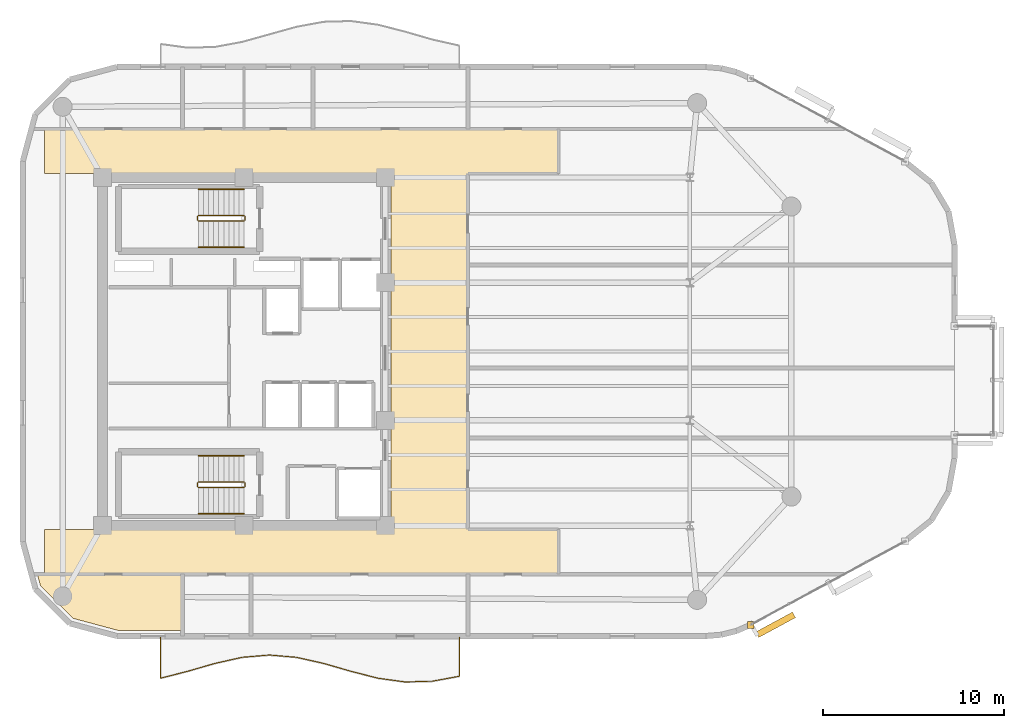
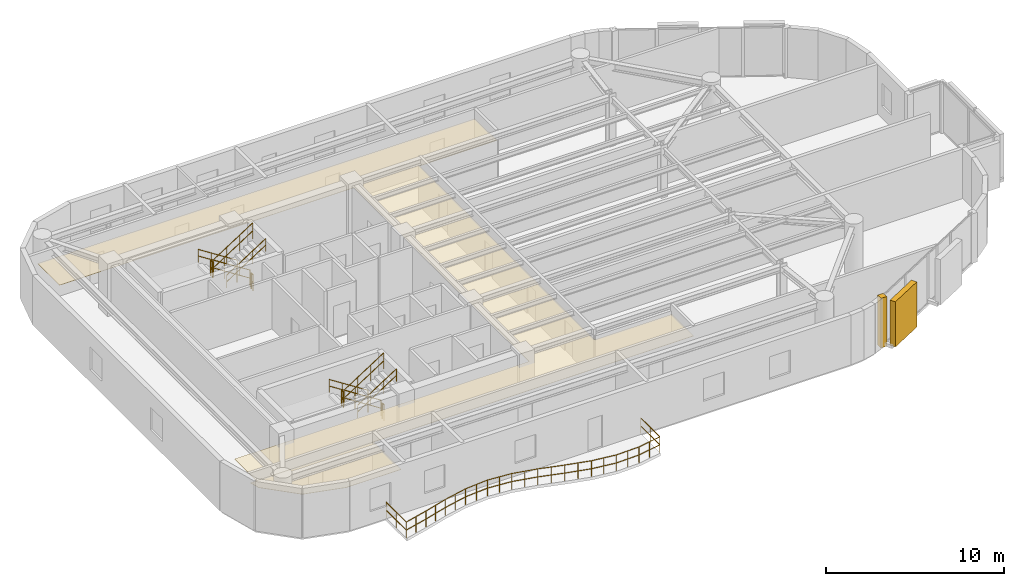
# One storey, part 13 of 14: 13 railings, 3 coverings, 1 shading device.
"""IFC4 building model written with IfcOpenShell, lengths in metres."""

from ifc_helpers import new_model, si_unit, direction, frame, origin, origin_2d, place, context, subcontext, project, spatial, polyline, rectangle, circle, outline, extrude, material, layer, layer_set, type_object, element, save


model = new_model("IFC4")

# Units and contexts
model_context = context("Model", 3, precision=1e-05, world=origin(), true_north=direction((0.0, 1.0)))
body_context = subcontext(model_context, "Body", "Model", "MODEL_VIEW")
ifc_project = project(units=[si_unit("LENGTHUNIT", "METRE"), si_unit("AREAUNIT", "SQUARE_METRE"), si_unit("VOLUMEUNIT", "CUBIC_METRE"), si_unit("PLANEANGLEUNIT", "RADIAN"), si_unit("MASSUNIT", "GRAM", prefix="KILO")], contexts=[model_context])

# Site, building, storey
site_placement = place(None, origin())
site = spatial("IfcSite", under=ifc_project, at=site_placement, CompositionType="ELEMENT")
building_placement = place(site_placement, origin())
building = spatial("IfcBuilding", under=site, at=building_placement, Name="An Khanh Terracotta Commons", CompositionType="ELEMENT")
storey_placement = place(building_placement, frame((0.0, 0.0, 219.300048828125)))
storey = spatial("IfcBuildingStorey", under=building, at=storey_placement, Name="L57", CompositionType="ELEMENT", Elevation=219.300048828125)

# Coverings
ifc_material_1 = material(Name="Perforated Mineral-Fibre Acoustic Tile")
ifc_layer_1 = layer(ifc_material_1, 0.02001953125, Name="Perforated Mineral-Fibre Acoustic Tile")
ifc_layer_set_1 = layer_set([ifc_layer_1], Name="Perforated Mineral-Fibre Acoustic Tile")
covering_type_1 = type_object("IfcCoveringType", Name="CEIL-ACOUSTIC-18", PredefinedType="CEILING", material=ifc_layer_set_1)
covering_1_placement = place(storey_placement, frame((0.0, 0.0, 2.64990234375)))
element("IfcCovering", 1, at=covering_1_placement, inside=storey, type_object=covering_type_1, Name="L57 Corridor Ceiling", PredefinedType="CEILING", context=body_context, shape_type="SweptSolid", body=[
    extrude(outline(polyline([(37.5, 14.179931640625), (37.5, 33.820068359375), (18.39990234375, 33.820068359375), (18.39990234375, 36.280029296875), (37.5, 36.280029296875), (41.75, 36.280029296875), (46.75, 36.280029296875), (46.75, 33.820068359375), (41.75, 33.820068359375), (41.75, 14.179931640625), (46.75, 14.179931640625), (46.75, 11.719970703125), (41.75, 11.719970703125), (37.5, 11.719970703125), (18.39990234375, 11.719970703125), (18.39990234375, 14.179931640625), (37.5, 14.179931640625)])), origin(), (0.0, 0.0, 1.0), 0.02001953125),
])
covering_2_placement = place(storey_placement, frame((0.0, 0.0, 2.64990234375)))
element("IfcCovering", 2, at=covering_2_placement, inside=storey, type_object=covering_type_1, Name="L57 Student Reading Library Ceiling", PredefinedType="CEILING", context=body_context, shape_type="SweptSolid", body=[
    extrude(outline(polyline([(22.44189453125, 8.6201171875), (19.966064453125, 9.283935546875), (18.18408203125, 11.06591796875), (18.008056640625, 11.719970703125), (18.39990234375, 11.719970703125), (26.0, 11.719970703125), (26.0, 8.64990234375), (26.0, 8.6201171875), (22.44189453125, 8.6201171875)])), origin(), (0.0, 0.0, 1.0), 0.02001953125),
])
ifc_material_2 = material(Name="Fired Terracotta Rainscreen Cladding", Category="masonry")
ifc_layer_2 = layer(ifc_material_2, 0.080078125, Name="Fired Terracotta Rainscreen Cladding")
ifc_layer_set_2 = layer_set([ifc_layer_2], Name="Fired Terracotta Rainscreen Cladding")
covering_type_2 = type_object("IfcCoveringType", Name="COV-JAMB-TERRA", PredefinedType="CLADDING", material=ifc_layer_set_2)
covering_3_placement = place(storey_placement, frame((57.35693359375, 8.925048828125, 0.0), z_axis=(0.0, 0.0, 1.0), x_axis=(1.0, 0.0, 0.0)))
element("IfcCovering", 3, at=covering_3_placement, inside=storey, type_object=covering_type_2, Name="L57 CW-03 Curtain-Wall Jamb Closure JA", PredefinedType="CLADDING", context=body_context, shape_type="SweptSolid", body=[
    extrude(rectangle(XDim=0.3798828125, YDim=0.3798828125, at=origin_2d()), origin(), (0.0, 0.0, 1.0), 3.39990234375),
])

# Railings
ifc_material_3 = material(Name="Brushed Stainless Steel 316", Category="steel")
railing_type_1 = type_object("IfcRailingType", Name="RAIL-BALUSTRADE-1100", PredefinedType="BALUSTRADE", material=ifc_material_3)
railing_1_placement = place(storey_placement, frame((24.800048828125, 8.239990234375, 0.0)))
element("IfcRailing", 4, at=railing_1_placement, inside=storey, type_object=railing_type_1, Name="L57 S Wave Balcony Guard Balustrade", PredefinedType="BALUSTRADE", context=body_context, shape_type="SweptSolid", body=[
    extrude(circle(Radius=0.02392578125, at=origin_2d()), frame((0.0, 0.0, 1.076171875), z_axis=(0.0, -1.0, 0.0), x_axis=(1.0, 0.0, 0.0)), (0.0, 0.0, 1.0), 2.260009765625),
    extrude(circle(Radius=0.02392578125, at=origin_2d()), frame((0.0, 0.0, 0.52587890625), z_axis=(0.0, -1.0, 0.0), x_axis=(1.0, 0.0, 0.0)), (0.0, 0.0, 1.0), 2.260009765625),
    extrude(circle(Radius=0.02392578125, at=origin_2d()), frame((0.0, -2.260009765625, 1.076171875), z_axis=(0.968754262999, 0.248022535107, 0.0), x_axis=(-0.248022535107, 0.968754262999, 0.0)), (0.0, 0.0, 1.0), 1.54833984375),
    extrude(circle(Radius=0.02392578125, at=origin_2d()), frame((0.0, -2.260009765625, 0.52587890625), z_axis=(0.968754262999, 0.248022535107, 0.0), x_axis=(-0.248022535107, 0.968754262999, 0.0)), (0.0, 0.0, 1.0), 1.54833984375),
    extrude(circle(Radius=0.02392578125, at=origin_2d()), frame((1.5, -1.8759765625, 1.076171875), z_axis=(0.960753088359, 0.277404944458, 0.0), x_axis=(-0.277404944458, 0.960753088359, 0.0)), (0.0, 0.0, 1.0), 1.561279296875),
    extrude(circle(Radius=0.02392578125, at=origin_2d()), frame((1.5, -1.8759765625, 0.52587890625), z_axis=(0.960753088359, 0.277404944458, 0.0), x_axis=(-0.277404944458, 0.960753088359, 0.0)), (0.0, 0.0, 1.0), 1.561279296875),
    extrude(circle(Radius=0.02392578125, at=origin_2d()), frame((3.0, -1.44287109375, 1.076171875), z_axis=(0.975691310659, 0.21914941548, 0.0), x_axis=(-0.21914941548, 0.975691310659, 0.0)), (0.0, 0.0, 1.0), 1.537353515625),
    extrude(circle(Radius=0.02392578125, at=origin_2d()), frame((3.0, -1.44287109375, 0.52587890625), z_axis=(0.975691310659, 0.21914941548, 0.0), x_axis=(-0.21914941548, 0.975691310659, 0.0)), (0.0, 0.0, 1.0), 1.537353515625),
    extrude(circle(Radius=0.02392578125, at=origin_2d()), frame((4.5, -1.10595703125, 1.076171875), z_axis=(0.996491859681, 0.083689746028, 0.0), x_axis=(-0.083689746028, 0.996491859681, 0.0)), (0.0, 0.0, 1.0), 1.50537109375),
    extrude(circle(Radius=0.02392578125, at=origin_2d()), frame((4.5, -1.10595703125, 0.52587890625), z_axis=(0.996491859681, 0.083689746028, 0.0), x_axis=(-0.083689746028, 0.996491859681, 0.0)), (0.0, 0.0, 1.0), 1.50537109375),
    extrude(circle(Radius=0.02392578125, at=origin_2d()), frame((6.0, -0.97998046875, 1.076171875), z_axis=(0.996491859681, -0.083689746028, 0.0), x_axis=(0.083689746028, 0.996491859681, 0.0)), (0.0, 0.0, 1.0), 1.50537109375),
    extrude(circle(Radius=0.02392578125, at=origin_2d()), frame((6.0, -0.97998046875, 0.52587890625), z_axis=(0.996491859681, -0.083689746028, 0.0), x_axis=(0.083689746028, 0.996491859681, 0.0)), (0.0, 0.0, 1.0), 1.50537109375),
    extrude(circle(Radius=0.02392578125, at=origin_2d()), frame((7.5, -1.10595703125, 1.076171875), z_axis=(0.975691310659, -0.21914941548, 0.0), x_axis=(0.21914941548, 0.975691310659, 0.0)), (0.0, 0.0, 1.0), 1.537353515625),
    extrude(circle(Radius=0.02392578125, at=origin_2d()), frame((7.5, -1.10595703125, 0.52587890625), z_axis=(0.975691310659, -0.21914941548, 0.0), x_axis=(0.21914941548, 0.975691310659, 0.0)), (0.0, 0.0, 1.0), 1.537353515625),
    extrude(circle(Radius=0.02392578125, at=origin_2d()), frame((9.0, -1.44287109375, 1.076171875), z_axis=(0.960753088359, -0.277404944458, 0.0), x_axis=(0.277404944458, 0.960753088359, 0.0)), (0.0, 0.0, 1.0), 1.561279296875),
    extrude(circle(Radius=0.02392578125, at=origin_2d()), frame((9.0, -1.44287109375, 0.52587890625), z_axis=(0.960753088359, -0.277404944458, 0.0), x_axis=(0.277404944458, 0.960753088359, 0.0)), (0.0, 0.0, 1.0), 1.561279296875),
    extrude(circle(Radius=0.02392578125, at=origin_2d()), frame((10.5, -1.8759765625, 1.076171875), z_axis=(0.968754262999, -0.248022535107, 0.0), x_axis=(0.248022535107, 0.968754262999, 0.0)), (0.0, 0.0, 1.0), 1.54833984375),
    extrude(circle(Radius=0.02392578125, at=origin_2d()), frame((10.5, -1.8759765625, 0.52587890625), z_axis=(0.968754262999, -0.248022535107, 0.0), x_axis=(0.248022535107, 0.968754262999, 0.0)), (0.0, 0.0, 1.0), 1.54833984375),
    extrude(circle(Radius=0.02392578125, at=origin_2d()), frame((12.0, -2.260009765625, 1.076171875), z_axis=(0.990696239711, -0.136091736054, 0.0), x_axis=(0.136091736054, 0.990696239711, 0.0)), (0.0, 0.0, 1.0), 1.51416015625),
    extrude(circle(Radius=0.02392578125, at=origin_2d()), frame((12.0, -2.260009765625, 0.52587890625), z_axis=(0.990696239711, -0.136091736054, 0.0), x_axis=(0.136091736054, 0.990696239711, 0.0)), (0.0, 0.0, 1.0), 1.51416015625),
    extrude(circle(Radius=0.02392578125, at=origin_2d()), frame((13.5, -2.466064453125, 1.076171875), z_axis=(0.999589960453, 0.028634087409, 0.0), x_axis=(-0.028634087409, 0.999589960453, 0.0)), (0.0, 0.0, 1.0), 1.500732421875),
    extrude(circle(Radius=0.02392578125, at=origin_2d()), frame((13.5, -2.466064453125, 0.52587890625), z_axis=(0.999589960453, 0.028634087409, 0.0), x_axis=(-0.028634087409, 0.999589960453, 0.0)), (0.0, 0.0, 1.0), 1.500732421875),
    extrude(circle(Radius=0.02392578125, at=origin_2d()), frame((15.0, -2.423095703125, 1.076171875), z_axis=(0.983475695992, 0.181040203803, 0.0), x_axis=(-0.181040203803, 0.983475695992, 0.0)), (0.0, 0.0, 1.0), 1.525146484375),
    extrude(circle(Radius=0.02392578125, at=origin_2d()), frame((15.0, -2.423095703125, 0.52587890625), z_axis=(0.983475695992, 0.181040203803, 0.0), x_axis=(-0.181040203803, 0.983475695992, 0.0)), (0.0, 0.0, 1.0), 1.525146484375),
    extrude(circle(Radius=0.02392578125, at=origin_2d()), frame((16.5, -2.14697265625, 1.076171875), z_axis=(0.0, 1.0, 0.0), x_axis=(-1.0, 0.0, 0.0)), (0.0, 0.0, 1.0), 2.14697265625),
    extrude(circle(Radius=0.02392578125, at=origin_2d()), frame((16.5, -2.14697265625, 0.52587890625), z_axis=(0.0, 1.0, 0.0), x_axis=(-1.0, 0.0, 0.0)), (0.0, 0.0, 1.0), 2.14697265625),
    extrude(circle(Radius=0.02099609375, at=origin_2d()), origin(), (0.0, 0.0, 1.0), 1.052001953125),
    extrude(circle(Radius=0.02099609375, at=origin_2d()), frame((0.0, -1.1298828125, 0.0)), (0.0, 0.0, 1.0), 1.052001953125),
    extrude(circle(Radius=0.02099609375, at=origin_2d()), frame((0.0, -2.260009765625, 0.0)), (0.0, 0.0, 1.0), 1.052001953125),
    extrude(circle(Radius=0.02099609375, at=origin_2d()), frame((0.75, -2.06787109375, 0.0)), (0.0, 0.0, 1.0), 1.052001953125),
    extrude(circle(Radius=0.02099609375, at=origin_2d()), frame((1.5, -1.8759765625, 0.0)), (0.0, 0.0, 1.0), 1.052001953125),
    extrude(circle(Radius=0.02099609375, at=origin_2d()), frame((2.25, -1.659423828125, 0.0)), (0.0, 0.0, 1.0), 1.052001953125),
    extrude(circle(Radius=0.02099609375, at=origin_2d()), frame((3.0, -1.44287109375, 0.0)), (0.0, 0.0, 1.0), 1.052001953125),
    extrude(circle(Radius=0.02099609375, at=origin_2d()), frame((3.75, -1.2744140625, 0.0)), (0.0, 0.0, 1.0), 1.052001953125),
    extrude(circle(Radius=0.02099609375, at=origin_2d()), frame((4.5, -1.10595703125, 0.0)), (0.0, 0.0, 1.0), 1.052001953125),
    extrude(circle(Radius=0.02099609375, at=origin_2d()), frame((5.25, -1.04296875, 0.0)), (0.0, 0.0, 1.0), 1.052001953125),
    extrude(circle(Radius=0.02099609375, at=origin_2d()), frame((6.0, -0.97998046875, 0.0)), (0.0, 0.0, 1.0), 1.052001953125),
    extrude(circle(Radius=0.02099609375, at=origin_2d()), frame((6.75, -1.04296875, 0.0)), (0.0, 0.0, 1.0), 1.052001953125),
    extrude(circle(Radius=0.02099609375, at=origin_2d()), frame((7.5, -1.10595703125, 0.0)), (0.0, 0.0, 1.0), 1.052001953125),
    extrude(circle(Radius=0.02099609375, at=origin_2d()), frame((8.25, -1.2744140625, 0.0)), (0.0, 0.0, 1.0), 1.052001953125),
    extrude(circle(Radius=0.02099609375, at=origin_2d()), frame((9.0, -1.44287109375, 0.0)), (0.0, 0.0, 1.0), 1.052001953125),
    extrude(circle(Radius=0.02099609375, at=origin_2d()), frame((9.75, -1.659423828125, 0.0)), (0.0, 0.0, 1.0), 1.052001953125),
    extrude(circle(Radius=0.02099609375, at=origin_2d()), frame((10.5, -1.8759765625, 0.0)), (0.0, 0.0, 1.0), 1.052001953125),
    extrude(circle(Radius=0.02099609375, at=origin_2d()), frame((11.25, -2.06787109375, 0.0)), (0.0, 0.0, 1.0), 1.052001953125),
    extrude(circle(Radius=0.02099609375, at=origin_2d()), frame((12.0, -2.260009765625, 0.0)), (0.0, 0.0, 1.0), 1.052001953125),
    extrude(circle(Radius=0.02099609375, at=origin_2d()), frame((12.75, -2.363037109375, 0.0)), (0.0, 0.0, 1.0), 1.052001953125),
    extrude(circle(Radius=0.02099609375, at=origin_2d()), frame((13.5, -2.466064453125, 0.0)), (0.0, 0.0, 1.0), 1.052001953125),
    extrude(circle(Radius=0.02099609375, at=origin_2d()), frame((14.25, -2.444580078125, 0.0)), (0.0, 0.0, 1.0), 1.052001953125),
    extrude(circle(Radius=0.02099609375, at=origin_2d()), frame((15.0, -2.423095703125, 0.0)), (0.0, 0.0, 1.0), 1.052001953125),
    extrude(circle(Radius=0.02099609375, at=origin_2d()), frame((15.75, -2.28515625, 0.0)), (0.0, 0.0, 1.0), 1.052001953125),
    extrude(circle(Radius=0.02099609375, at=origin_2d()), frame((16.5, -2.14697265625, 0.0)), (0.0, 0.0, 1.0), 1.052001953125),
    extrude(circle(Radius=0.02099609375, at=origin_2d()), frame((16.5, -1.073486328125, 0.0)), (0.0, 0.0, 1.0), 1.052001953125),
    extrude(circle(Radius=0.02099609375, at=origin_2d()), frame((16.5, 0.0, 0.0)), (0.0, 0.0, 1.0), 1.052001953125),
])
railing_type_2 = type_object("IfcRailingType", Name="RAIL-HANDRAIL-900", PredefinedType="HANDRAIL", material=ifc_material_3)
railing_2_placement = place(storey_placement, frame((29.409912109375, 32.949951171875, 0.179931640625)))
element("IfcRailing", 5, at=railing_2_placement, inside=storey, type_object=railing_type_2, Name="L57 ST-01 stair handrail 1", PredefinedType="HANDRAIL", context=body_context, shape_type="SweptSolid", body=[
    extrude(circle(Radius=0.02392578125, at=origin_2d()), frame((0.0, 0.0, 0.8759765625), z_axis=(-0.841162588446, 0.0, 0.540782303519), x_axis=(0.0, -1.0, 0.0)), (0.0, 0.0, 1.0), 2.995849609375),
    extrude(circle(Radius=0.02392578125, at=origin_2d()), frame((0.0, 0.0, 0.42578125), z_axis=(-0.841162588446, 0.0, 0.540782303519), x_axis=(0.0, -1.0, 0.0)), (0.0, 0.0, 1.0), 2.995849609375),
    extrude(circle(Radius=0.02099609375, at=origin_2d()), origin(), (0.0, 0.0, 1.0), 0.851806640625),
    extrude(circle(Radius=0.02099609375, at=origin_2d()), frame((-0.840087890625, 0.0, 0.5400390625)), (0.0, 0.0, 1.0), 0.851806640625),
    extrude(circle(Radius=0.02099609375, at=origin_2d()), frame((-1.679931640625, 0.0, 1.080078125)), (0.0, 0.0, 1.0), 0.851806640625),
    extrude(circle(Radius=0.02099609375, at=origin_2d()), frame((-2.52001953125, 0.0, 1.6201171875)), (0.0, 0.0, 1.0), 0.851806640625),
])
railing_3_placement = place(storey_placement, frame((26.889892578125, 29.75, 1.97998046875)))
element("IfcRailing", 6, at=railing_3_placement, inside=storey, type_object=railing_type_2, Name="L57 ST-01 stair handrail 2", PredefinedType="HANDRAIL", context=body_context, shape_type="SweptSolid", body=[
    extrude(circle(Radius=0.02392578125, at=origin_2d()), frame((0.0, 0.0, 0.8759765625), z_axis=(0.841199657755, 0.0, 0.540724639528), x_axis=(0.0, 1.0, 0.0)), (0.0, 0.0, 1.0), 2.995849609375),
    extrude(circle(Radius=0.02392578125, at=origin_2d()), frame((0.0, 0.0, 0.42578125), z_axis=(0.841199657755, 0.0, 0.540724639528), x_axis=(0.0, 1.0, 0.0)), (0.0, 0.0, 1.0), 2.995849609375),
    extrude(circle(Radius=0.02099609375, at=origin_2d()), origin(), (0.0, 0.0, 1.0), 0.851806640625),
    extrude(circle(Radius=0.02099609375, at=origin_2d()), frame((0.840087890625, 0.0, 0.5400390625)), (0.0, 0.0, 1.0), 0.851806640625),
    extrude(circle(Radius=0.02099609375, at=origin_2d()), frame((1.679931640625, 0.0, 1.079833984375)), (0.0, 0.0, 1.0), 0.851806640625),
    extrude(circle(Radius=0.02099609375, at=origin_2d()), frame((2.52001953125, 0.0, 1.619873046875)), (0.0, 0.0, 1.0), 0.851806640625),
])
railing_4_placement = place(storey_placement, frame((29.409912109375, 18.25, 0.179931640625)))
element("IfcRailing", 7, at=railing_4_placement, inside=storey, type_object=railing_type_2, Name="L57 ST-02 stair handrail 1", PredefinedType="HANDRAIL", context=body_context, shape_type="SweptSolid", body=[
    extrude(circle(Radius=0.02392578125, at=origin_2d()), frame((0.0, 0.0, 0.8759765625), z_axis=(-0.841162588446, 0.0, 0.540782303519), x_axis=(0.0, -1.0, 0.0)), (0.0, 0.0, 1.0), 2.995849609375),
    extrude(circle(Radius=0.02392578125, at=origin_2d()), frame((0.0, 0.0, 0.42578125), z_axis=(-0.841162588446, 0.0, 0.540782303519), x_axis=(0.0, -1.0, 0.0)), (0.0, 0.0, 1.0), 2.995849609375),
    extrude(circle(Radius=0.02099609375, at=origin_2d()), origin(), (0.0, 0.0, 1.0), 0.851806640625),
    extrude(circle(Radius=0.02099609375, at=origin_2d()), frame((-0.840087890625, 0.0, 0.5400390625)), (0.0, 0.0, 1.0), 0.851806640625),
    extrude(circle(Radius=0.02099609375, at=origin_2d()), frame((-1.679931640625, 0.0, 1.080078125)), (0.0, 0.0, 1.0), 0.851806640625),
    extrude(circle(Radius=0.02099609375, at=origin_2d()), frame((-2.52001953125, 0.0, 1.6201171875)), (0.0, 0.0, 1.0), 0.851806640625),
])
railing_5_placement = place(storey_placement, frame((26.889892578125, 15.050048828125, 1.97998046875)))
element("IfcRailing", 8, at=railing_5_placement, inside=storey, type_object=railing_type_2, Name="L57 ST-02 stair handrail 2", PredefinedType="HANDRAIL", context=body_context, shape_type="SweptSolid", body=[
    extrude(circle(Radius=0.02392578125, at=origin_2d()), frame((0.0, 0.0, 0.8759765625), z_axis=(0.841199657755, 0.0, 0.540724639528), x_axis=(0.0, 1.0, 0.0)), (0.0, 0.0, 1.0), 2.995849609375),
    extrude(circle(Radius=0.02392578125, at=origin_2d()), frame((0.0, 0.0, 0.42578125), z_axis=(0.841199657755, 0.0, 0.540724639528), x_axis=(0.0, 1.0, 0.0)), (0.0, 0.0, 1.0), 2.995849609375),
    extrude(circle(Radius=0.02099609375, at=origin_2d()), origin(), (0.0, 0.0, 1.0), 0.851806640625),
    extrude(circle(Radius=0.02099609375, at=origin_2d()), frame((0.840087890625, 0.0, 0.5400390625)), (0.0, 0.0, 1.0), 0.851806640625),
    extrude(circle(Radius=0.02099609375, at=origin_2d()), frame((1.679931640625, 0.0, 1.079833984375)), (0.0, 0.0, 1.0), 0.851806640625),
    extrude(circle(Radius=0.02099609375, at=origin_2d()), frame((2.52001953125, 0.0, 1.619873046875)), (0.0, 0.0, 1.0), 0.851806640625),
])
ifc_material_4 = material(Name="Powder-Coated Steel S355J2", Category="steel")
railing_type_3 = type_object("IfcRailingType", Name="RAIL-STAIR-GUARD-1100", PredefinedType="BALUSTRADE", material=ifc_material_4)
railing_6_placement = place(storey_placement, frame((29.409912109375, 31.5, 0.179931640625)))
element("IfcRailing", 9, at=railing_6_placement, inside=storey, type_object=railing_type_3, Name="L57 ST-01 stair guard 1", PredefinedType="BALUSTRADE", context=body_context, shape_type="SweptSolid", body=[
    extrude(circle(Radius=0.02392578125, at=origin_2d()), frame((0.0, 0.0, 1.076171875), z_axis=(-0.841162588446, 0.0, 0.540782303519), x_axis=(0.0, -1.0, 0.0)), (0.0, 0.0, 1.0), 2.995849609375),
    extrude(circle(Radius=0.02392578125, at=origin_2d()), frame((0.0, 0.0, 0.52587890625), z_axis=(-0.841162588446, 0.0, 0.540782303519), x_axis=(0.0, -1.0, 0.0)), (0.0, 0.0, 1.0), 2.995849609375),
    extrude(circle(Radius=0.02099609375, at=origin_2d()), origin(), (0.0, 0.0, 1.0), 1.052001953125),
    extrude(circle(Radius=0.02099609375, at=origin_2d()), frame((-0.840087890625, 0.0, 0.5400390625)), (0.0, 0.0, 1.0), 1.052001953125),
    extrude(circle(Radius=0.02099609375, at=origin_2d()), frame((-1.679931640625, 0.0, 1.080078125)), (0.0, 0.0, 1.0), 1.052001953125),
    extrude(circle(Radius=0.02099609375, at=origin_2d()), frame((-2.52001953125, 0.0, 1.6201171875)), (0.0, 0.0, 1.0), 1.052001953125),
])
railing_7_placement = place(storey_placement, frame((26.840087890625, 31.449951171875, 1.800048828125)))
element("IfcRailing", 10, at=railing_7_placement, inside=storey, type_object=railing_type_3, Name="L57 ST-01 stair guard 2", PredefinedType="BALUSTRADE", context=body_context, shape_type="SweptSolid", body=[
    extrude(circle(Radius=0.02392578125, at=origin_2d()), frame((0.0, 0.0, 1.076171875), z_axis=(0.0, -1.0, 0.0), x_axis=(1.0, 0.0, 0.0)), (0.0, 0.0, 1.0), 0.199951171875),
    extrude(circle(Radius=0.02392578125, at=origin_2d()), frame((0.0, 0.0, 0.52587890625), z_axis=(0.0, -1.0, 0.0), x_axis=(1.0, 0.0, 0.0)), (0.0, 0.0, 1.0), 0.199951171875),
    extrude(circle(Radius=0.02099609375, at=origin_2d()), origin(), (0.0, 0.0, 1.0), 1.052001953125),
    extrude(circle(Radius=0.02099609375, at=origin_2d()), frame((0.0, -0.199951171875, 0.0)), (0.0, 0.0, 1.0), 1.052001953125),
])
railing_8_placement = place(storey_placement, frame((26.889892578125, 31.199951171875, 1.97998046875)))
element("IfcRailing", 11, at=railing_8_placement, inside=storey, type_object=railing_type_3, Name="L57 ST-01 stair guard 3", PredefinedType="BALUSTRADE", context=body_context, shape_type="SweptSolid", body=[
    extrude(circle(Radius=0.02392578125, at=origin_2d()), frame((0.0, 0.0, 1.076171875), z_axis=(0.841199657755, 0.0, 0.540724639528), x_axis=(0.0, 1.0, 0.0)), (0.0, 0.0, 1.0), 2.995849609375),
    extrude(circle(Radius=0.02392578125, at=origin_2d()), frame((0.0, 0.0, 0.52587890625), z_axis=(0.841199657755, 0.0, 0.540724639528), x_axis=(0.0, 1.0, 0.0)), (0.0, 0.0, 1.0), 2.995849609375),
    extrude(circle(Radius=0.02099609375, at=origin_2d()), origin(), (0.0, 0.0, 1.0), 1.052001953125),
    extrude(circle(Radius=0.02099609375, at=origin_2d()), frame((0.840087890625, 0.0, 0.5400390625)), (0.0, 0.0, 1.0), 1.052001953125),
    extrude(circle(Radius=0.02099609375, at=origin_2d()), frame((1.679931640625, 0.0, 1.079833984375)), (0.0, 0.0, 1.0), 1.052001953125),
    extrude(circle(Radius=0.02099609375, at=origin_2d()), frame((2.52001953125, 0.0, 1.619873046875)), (0.0, 0.0, 1.0), 1.052001953125),
])
railing_9_placement = place(storey_placement, frame((29.4599609375, 31.449951171875, 0.0)))
element("IfcRailing", 12, at=railing_9_placement, inside=storey, type_object=railing_type_3, Name="L57 ST-01 stair guard 4", PredefinedType="BALUSTRADE", context=body_context, shape_type="SweptSolid", body=[
    extrude(circle(Radius=0.02392578125, at=origin_2d()), frame((0.0, 0.0, 1.076171875), z_axis=(0.0, -1.0, 0.0), x_axis=(1.0, 0.0, 0.0)), (0.0, 0.0, 1.0), 0.199951171875),
    extrude(circle(Radius=0.02392578125, at=origin_2d()), frame((0.0, 0.0, 0.52587890625), z_axis=(0.0, -1.0, 0.0), x_axis=(1.0, 0.0, 0.0)), (0.0, 0.0, 1.0), 0.199951171875),
    extrude(circle(Radius=0.02099609375, at=origin_2d()), origin(), (0.0, 0.0, 1.0), 1.052001953125),
    extrude(circle(Radius=0.02099609375, at=origin_2d()), frame((0.0, -0.199951171875, 0.0)), (0.0, 0.0, 1.0), 1.052001953125),
])
railing_10_placement = place(storey_placement, frame((29.409912109375, 16.800048828125, 0.179931640625)))
element("IfcRailing", 13, at=railing_10_placement, inside=storey, type_object=railing_type_3, Name="L57 ST-02 stair guard 1", PredefinedType="BALUSTRADE", context=body_context, shape_type="SweptSolid", body=[
    extrude(circle(Radius=0.02392578125, at=origin_2d()), frame((0.0, 0.0, 1.076171875), z_axis=(-0.841162588446, 0.0, 0.540782303519), x_axis=(0.0, -1.0, 0.0)), (0.0, 0.0, 1.0), 2.995849609375),
    extrude(circle(Radius=0.02392578125, at=origin_2d()), frame((0.0, 0.0, 0.52587890625), z_axis=(-0.841162588446, 0.0, 0.540782303519), x_axis=(0.0, -1.0, 0.0)), (0.0, 0.0, 1.0), 2.995849609375),
    extrude(circle(Radius=0.02099609375, at=origin_2d()), origin(), (0.0, 0.0, 1.0), 1.052001953125),
    extrude(circle(Radius=0.02099609375, at=origin_2d()), frame((-0.840087890625, 0.0, 0.5400390625)), (0.0, 0.0, 1.0), 1.052001953125),
    extrude(circle(Radius=0.02099609375, at=origin_2d()), frame((-1.679931640625, 0.0, 1.080078125)), (0.0, 0.0, 1.0), 1.052001953125),
    extrude(circle(Radius=0.02099609375, at=origin_2d()), frame((-2.52001953125, 0.0, 1.6201171875)), (0.0, 0.0, 1.0), 1.052001953125),
])
railing_11_placement = place(storey_placement, frame((26.840087890625, 16.75, 1.800048828125)))
element("IfcRailing", 14, at=railing_11_placement, inside=storey, type_object=railing_type_3, Name="L57 ST-02 stair guard 2", PredefinedType="BALUSTRADE", context=body_context, shape_type="SweptSolid", body=[
    extrude(circle(Radius=0.02392578125, at=origin_2d()), frame((0.0, 0.0, 1.076171875), z_axis=(0.0, -1.0, 0.0), x_axis=(1.0, 0.0, 0.0)), (0.0, 0.0, 1.0), 0.199951171875),
    extrude(circle(Radius=0.02392578125, at=origin_2d()), frame((0.0, 0.0, 0.52587890625), z_axis=(0.0, -1.0, 0.0), x_axis=(1.0, 0.0, 0.0)), (0.0, 0.0, 1.0), 0.199951171875),
    extrude(circle(Radius=0.02099609375, at=origin_2d()), origin(), (0.0, 0.0, 1.0), 1.052001953125),
    extrude(circle(Radius=0.02099609375, at=origin_2d()), frame((0.0, -0.199951171875, 0.0)), (0.0, 0.0, 1.0), 1.052001953125),
])
railing_12_placement = place(storey_placement, frame((26.889892578125, 16.5, 1.97998046875)))
element("IfcRailing", 15, at=railing_12_placement, inside=storey, type_object=railing_type_3, Name="L57 ST-02 stair guard 3", PredefinedType="BALUSTRADE", context=body_context, shape_type="SweptSolid", body=[
    extrude(circle(Radius=0.02392578125, at=origin_2d()), frame((0.0, 0.0, 1.076171875), z_axis=(0.841199657755, 0.0, 0.540724639528), x_axis=(0.0, 1.0, 0.0)), (0.0, 0.0, 1.0), 2.995849609375),
    extrude(circle(Radius=0.02392578125, at=origin_2d()), frame((0.0, 0.0, 0.52587890625), z_axis=(0.841199657755, 0.0, 0.540724639528), x_axis=(0.0, 1.0, 0.0)), (0.0, 0.0, 1.0), 2.995849609375),
    extrude(circle(Radius=0.02099609375, at=origin_2d()), origin(), (0.0, 0.0, 1.0), 1.052001953125),
    extrude(circle(Radius=0.02099609375, at=origin_2d()), frame((0.840087890625, 0.0, 0.5400390625)), (0.0, 0.0, 1.0), 1.052001953125),
    extrude(circle(Radius=0.02099609375, at=origin_2d()), frame((1.679931640625, 0.0, 1.079833984375)), (0.0, 0.0, 1.0), 1.052001953125),
    extrude(circle(Radius=0.02099609375, at=origin_2d()), frame((2.52001953125, 0.0, 1.619873046875)), (0.0, 0.0, 1.0), 1.052001953125),
])
railing_13_placement = place(storey_placement, frame((29.4599609375, 16.75, 0.0)))
element("IfcRailing", 16, at=railing_13_placement, inside=storey, type_object=railing_type_3, Name="L57 ST-02 stair guard 4", PredefinedType="BALUSTRADE", context=body_context, shape_type="SweptSolid", body=[
    extrude(circle(Radius=0.02392578125, at=origin_2d()), frame((0.0, 0.0, 1.076171875), z_axis=(0.0, -1.0, 0.0), x_axis=(1.0, 0.0, 0.0)), (0.0, 0.0, 1.0), 0.199951171875),
    extrude(circle(Radius=0.02392578125, at=origin_2d()), frame((0.0, 0.0, 0.52587890625), z_axis=(0.0, -1.0, 0.0), x_axis=(1.0, 0.0, 0.0)), (0.0, 0.0, 1.0), 0.199951171875),
    extrude(circle(Radius=0.02099609375, at=origin_2d()), origin(), (0.0, 0.0, 1.0), 1.052001953125),
    extrude(circle(Radius=0.02099609375, at=origin_2d()), frame((0.0, -0.199951171875, 0.0)), (0.0, 0.0, 1.0), 1.052001953125),
])

# Shading device
ifc_material_5 = material(Name="Extruded Fired Terracotta", Category="masonry")
shading_device_type = type_object("IfcShadingDeviceType", Name="Terracotta Baguette Screen Assembly", PredefinedType="USERDEFINED", material=ifc_material_5)
shading_device_placement = place(storey_placement, frame((58.72998046875, 8.927978515625, 0.14990234375), z_axis=(0.0, 0.0, 1.0), x_axis=(0.879780095306, 0.47538088298, 0.0)))
element("IfcShadingDevice", 17, at=shading_device_placement, inside=storey, type_object=shading_device_type, Name="L57 Terracotta Baguette Screen 1", ObjectType="BAGUETTE", PredefinedType="USERDEFINED", context=body_context, shape_type="SweptSolid", body=[
    extrude(rectangle(XDim=2.300048828125, YDim=0.35009765625, at=origin_2d()), origin(), (0.0, 0.0, 1.0), 3.10009765625),
])

save(model, "model.ifc")
